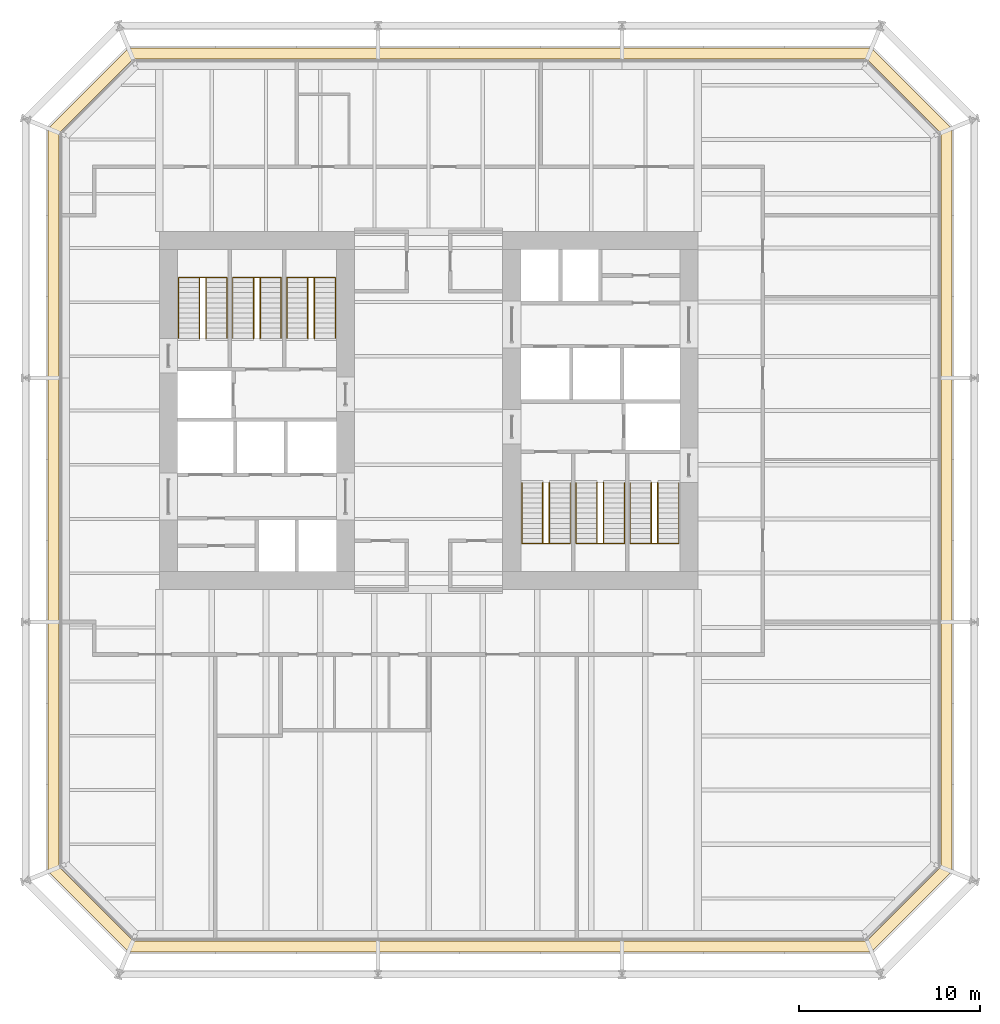
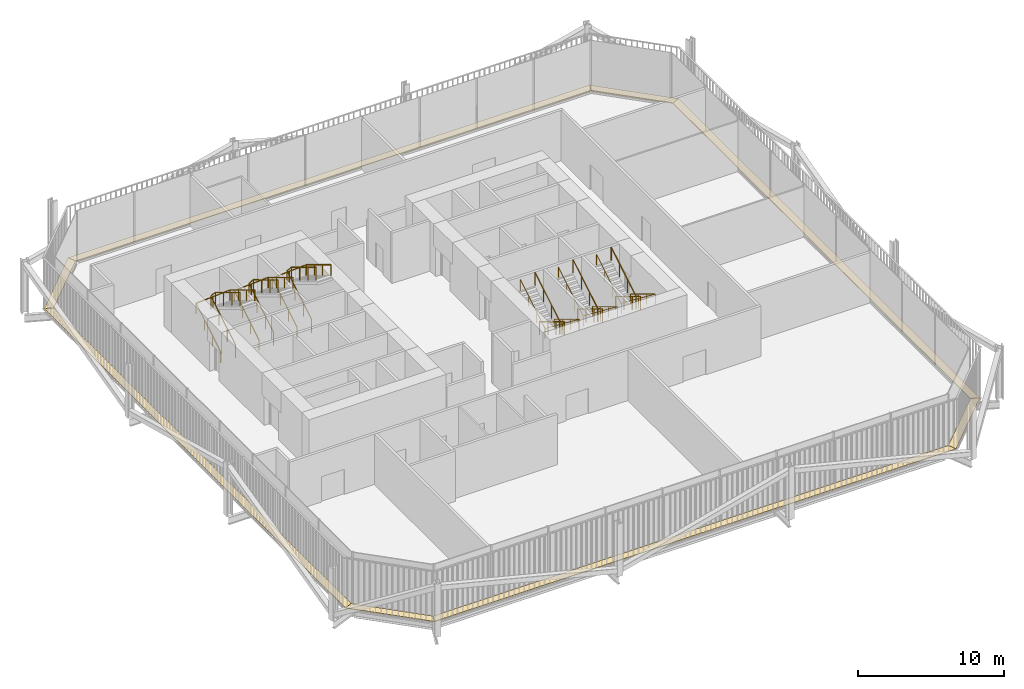
# One storey, part 21 of 21: 12 railings, 8 coverings.
"""IFC4 building model written with IfcOpenShell, lengths in metres."""

from ifc_helpers import new_model, si_unit, direction, frame, origin, origin_2d, place, context, subcontext, project, spatial, polyline, circle, outline, extrude, material, layer, layer_set, type_object, element, save


model = new_model("IFC4")

# Units and contexts
model_context = context("Model", 3, precision=1e-05, world=origin(), true_north=direction((0.0, 1.0)))
body_context = subcontext(model_context, "Body", "Model", "MODEL_VIEW")
ifc_project = project(units=[si_unit("LENGTHUNIT", "METRE"), si_unit("AREAUNIT", "SQUARE_METRE"), si_unit("VOLUMEUNIT", "CUBIC_METRE"), si_unit("PLANEANGLEUNIT", "RADIAN"), si_unit("MASSUNIT", "GRAM", prefix="KILO")], contexts=[model_context])

# Site, building, storey
site_placement = place(None, origin())
site = spatial("IfcSite", under=ifc_project, at=site_placement, CompositionType="ELEMENT")
building_placement = place(site_placement, origin())
building = spatial("IfcBuilding", under=site, at=building_placement, Name="Millrace Tower", CompositionType="ELEMENT")
storey_placement = place(building_placement, frame((0.0, 0.0, 90.800048828125)))
storey = spatial("IfcBuildingStorey", under=building, at=storey_placement, Name="L20", CompositionType="ELEMENT", Elevation=90.800048828125)

# Coverings
ifc_material_1 = material(Name="Steel ASTM A36", Category="steel")
ifc_layer = layer(ifc_material_1, 0.050048828125)
ifc_layer_set = layer_set([ifc_layer], Name="Steel ASTM A36")
covering_type = type_object("IfcCoveringType", Name="CAVITY CATWALK steel grating", PredefinedType="FLOORING", material=ifc_layer_set)
placement = place(storey_placement, frame((0.0, 0.0, 0.099853515625)))
element("IfcCovering", 1, at=placement, inside=storey, type_object=covering_type, Name="Cavity catwalk grating B-F01 L20 1", PredefinedType="FLOORING", context=body_context, shape_type="SweptSolid", body=[
    extrude(outline(polyline([(-21.050048828125, -25.5107421875), (-16.610595703125, -29.949951171875), (-16.362060546875, -29.35009765625), (-20.449951171875, -25.26220703125), (-21.050048828125, -25.5107421875)])), origin(), (0.0, 0.0, 1.0), 0.050048828125),
])
element("IfcCovering", 2, at=placement, inside=storey, type_object=covering_type, Name="Cavity catwalk grating B-F02 L20 1", PredefinedType="FLOORING", context=body_context, shape_type="SweptSolid", body=[
    extrude(outline(polyline([(-16.610595703125, -29.949951171875), (24.5107421875, -29.949951171875), (24.26220703125, -29.35009765625), (-16.362060546875, -29.35009765625), (-16.610595703125, -29.949951171875)])), origin(), (0.0, 0.0, 1.0), 0.050048828125),
])
element("IfcCovering", 3, at=placement, inside=storey, type_object=covering_type, Name="Cavity catwalk grating B-F03 L20 1", PredefinedType="FLOORING", context=body_context, shape_type="SweptSolid", body=[
    extrude(outline(polyline([(24.5107421875, -29.949951171875), (28.949951171875, -25.5107421875), (28.35009765625, -25.26220703125), (24.26220703125, -29.35009765625), (24.5107421875, -29.949951171875)])), origin(), (0.0, 0.0, 1.0), 0.050048828125),
])
element("IfcCovering", 4, at=placement, inside=storey, type_object=covering_type, Name="Cavity catwalk grating B-F04 L20 1", PredefinedType="FLOORING", context=body_context, shape_type="SweptSolid", body=[
    extrude(outline(polyline([(28.949951171875, -25.5107421875), (28.949951171875, 15.610595703125), (28.35009765625, 15.362060546875), (28.35009765625, -25.26220703125), (28.949951171875, -25.5107421875)])), origin(), (0.0, 0.0, 1.0), 0.050048828125),
])
element("IfcCovering", 5, at=placement, inside=storey, type_object=covering_type, Name="Cavity catwalk grating B-F05 L20 1", PredefinedType="FLOORING", context=body_context, shape_type="SweptSolid", body=[
    extrude(outline(polyline([(28.949951171875, 15.610595703125), (24.5107421875, 20.050048828125), (24.26220703125, 19.449951171875), (28.35009765625, 15.362060546875), (28.949951171875, 15.610595703125)])), origin(), (0.0, 0.0, 1.0), 0.050048828125),
])
element("IfcCovering", 6, at=placement, inside=storey, type_object=covering_type, Name="Cavity catwalk grating B-F06 L20 1", PredefinedType="FLOORING", context=body_context, shape_type="SweptSolid", body=[
    extrude(outline(polyline([(24.5107421875, 20.050048828125), (-16.610595703125, 20.050048828125), (-16.362060546875, 19.449951171875), (24.26220703125, 19.449951171875), (24.5107421875, 20.050048828125)])), origin(), (0.0, 0.0, 1.0), 0.050048828125),
])
element("IfcCovering", 7, at=placement, inside=storey, type_object=covering_type, Name="Cavity catwalk grating B-F07 L20 1", PredefinedType="FLOORING", context=body_context, shape_type="SweptSolid", body=[
    extrude(outline(polyline([(-16.610595703125, 20.050048828125), (-21.050048828125, 15.610595703125), (-20.449951171875, 15.362060546875), (-16.362060546875, 19.449951171875), (-16.610595703125, 20.050048828125)])), origin(), (0.0, 0.0, 1.0), 0.050048828125),
])
element("IfcCovering", 8, at=placement, inside=storey, type_object=covering_type, Name="Cavity catwalk grating B-F08 L20 1", PredefinedType="FLOORING", context=body_context, shape_type="SweptSolid", body=[
    extrude(outline(polyline([(-21.050048828125, 15.610595703125), (-21.050048828125, -25.5107421875), (-20.449951171875, -25.26220703125), (-20.449951171875, 15.362060546875), (-21.050048828125, 15.610595703125)])), origin(), (0.0, 0.0, 1.0), 0.050048828125),
])

# Railings
ifc_material_2 = material(Name="Stainless steel ASTM A240 type 316", Category="steel")
railing_type_1 = type_object("IfcRailingType", Name="Stair guard 1100", PredefinedType="GUARDRAIL", material=ifc_material_2)
for number, where, name in (
    (9, (-12.679931640625, 4.0, 0.169189453125), "Stair guard 1 W L20"),
    (10, (-9.679931640625, 4.0, 0.169189453125), "Stair guard 2 W L20"),
    (11, (-6.679931640625, 4.0, 0.169189453125), "Stair guard 3 W L20"),
):
    element("IfcRailing", number, at=place(storey_placement, frame(where)), inside=storey, type_object=railing_type_1, Name=name, PredefinedType="GUARDRAIL", context=body_context, shape_type="SweptSolid", body=[
        extrude(circle(Radius=0.02392578125, at=origin_2d()), frame((0.0, 0.0, 1.076171875), z_axis=(0.0, 0.855836976705, 0.517245656632), x_axis=(-1.0, 0.0, 0.0)), (0.0, 0.0, 1.0), 3.926025390625),
        extrude(circle(Radius=0.02392578125, at=origin_2d()), frame((0.0, 3.360107421875, 3.10693359375), z_axis=(0.904971698027, 0.0, 0.425471768475), x_axis=(0.0, 1.0, 0.0)), (0.0, 0.0, 1.0), 0.397705078125),
        extrude(circle(Radius=0.02392578125, at=origin_2d()), frame((0.35986328125, 3.360107421875, 3.27587890625), z_axis=(0.0, -0.855836976705, 0.517245656632), x_axis=(1.0, 0.0, 0.0)), (0.0, 0.0, 1.0), 3.926025390625),
        extrude(circle(Radius=0.02099609375, at=origin_2d()), origin(), (0.0, 0.0, 1.0), 1.052001953125),
        extrude(circle(Radius=0.02099609375, at=origin_2d()), frame((0.0, 1.1201171875, 0.677001953125)), (0.0, 0.0, 1.0), 1.052001953125),
        extrude(circle(Radius=0.02099609375, at=origin_2d()), frame((0.0, 2.239990234375, 1.353759765625)), (0.0, 0.0, 1.0), 1.052001953125),
        extrude(circle(Radius=0.02099609375, at=origin_2d()), frame((0.0, 3.360107421875, 2.03076171875)), (0.0, 0.0, 1.0), 1.052001953125),
        extrude(circle(Radius=0.02099609375, at=origin_2d()), frame((0.35986328125, 3.360107421875, 2.199951171875)), (0.0, 0.0, 1.0), 1.052001953125),
        extrude(circle(Radius=0.02099609375, at=origin_2d()), frame((0.35986328125, 2.239990234375, 2.876953125)), (0.0, 0.0, 1.0), 1.052001953125),
        extrude(circle(Radius=0.02099609375, at=origin_2d()), frame((0.35986328125, 1.1201171875, 3.5537109375)), (0.0, 0.0, 1.0), 1.052001953125),
        extrude(circle(Radius=0.02099609375, at=origin_2d()), frame((0.35986328125, 0.0, 4.230712890625)), (0.0, 0.0, 1.0), 1.052001953125),
    ])
for number, where, name in (
    (12, (12.679931640625, -4.0, 0.169189453125), "Stair guard 1 E L20"),
    (13, (9.679931640625, -4.0, 0.169189453125), "Stair guard 2 E L20"),
    (14, (6.679931640625, -4.0, 0.169189453125), "Stair guard 3 E L20"),
):
    element("IfcRailing", number, at=place(storey_placement, frame(where)), inside=storey, type_object=railing_type_1, Name=name, PredefinedType="GUARDRAIL", context=body_context, shape_type="SweptSolid", body=[
        extrude(circle(Radius=0.02392578125, at=origin_2d()), frame((0.0, 0.0, 1.076171875), z_axis=(0.0, -0.855836976705, 0.517245656632), x_axis=(1.0, 0.0, 0.0)), (0.0, 0.0, 1.0), 3.926025390625),
        extrude(circle(Radius=0.02392578125, at=origin_2d()), frame((0.0, -3.360107421875, 3.10693359375), z_axis=(-0.904971698027, 0.0, 0.425471768475), x_axis=(0.0, -1.0, 0.0)), (0.0, 0.0, 1.0), 0.397705078125),
        extrude(circle(Radius=0.02392578125, at=origin_2d()), frame((-0.35986328125, -3.360107421875, 3.27587890625), z_axis=(0.0, 0.855836976705, 0.517245656632), x_axis=(-1.0, 0.0, 0.0)), (0.0, 0.0, 1.0), 3.926025390625),
        extrude(circle(Radius=0.02099609375, at=origin_2d()), origin(), (0.0, 0.0, 1.0), 1.052001953125),
        extrude(circle(Radius=0.02099609375, at=origin_2d()), frame((0.0, -1.1201171875, 0.677001953125)), (0.0, 0.0, 1.0), 1.052001953125),
        extrude(circle(Radius=0.02099609375, at=origin_2d()), frame((0.0, -2.239990234375, 1.353759765625)), (0.0, 0.0, 1.0), 1.052001953125),
        extrude(circle(Radius=0.02099609375, at=origin_2d()), frame((0.0, -3.360107421875, 2.03076171875)), (0.0, 0.0, 1.0), 1.052001953125),
        extrude(circle(Radius=0.02099609375, at=origin_2d()), frame((-0.35986328125, -3.360107421875, 2.199951171875)), (0.0, 0.0, 1.0), 1.052001953125),
        extrude(circle(Radius=0.02099609375, at=origin_2d()), frame((-0.35986328125, -2.239990234375, 2.876953125)), (0.0, 0.0, 1.0), 1.052001953125),
        extrude(circle(Radius=0.02099609375, at=origin_2d()), frame((-0.35986328125, -1.1201171875, 3.5537109375)), (0.0, 0.0, 1.0), 1.052001953125),
        extrude(circle(Radius=0.02099609375, at=origin_2d()), frame((-0.35986328125, 0.0, 4.230712890625)), (0.0, 0.0, 1.0), 1.052001953125),
    ])
ifc_material_3 = material(Name="Stainless steel ASTM A240 type 316", Category="steel")
railing_type_2 = type_object("IfcRailingType", Name="Stair handrail 900", PredefinedType="HANDRAIL", material=ifc_material_3)
railing_1_placement = place(storey_placement, frame((-13.840087890625, 4.0, 0.169189453125)))
element("IfcRailing", 15, at=railing_1_placement, inside=storey, type_object=railing_type_2, Name="Stair handrail 1 W L20", PredefinedType="HANDRAIL", context=body_context, shape_type="SweptSolid", body=[
    extrude(circle(Radius=0.02392578125, at=origin_2d()), frame((0.0, 0.0, 0.8759765625), z_axis=(0.0, 0.855836976705, 0.517245656632), x_axis=(-1.0, 0.0, 0.0)), (0.0, 0.0, 1.0), 3.926025390625),
    extrude(circle(Radius=0.02392578125, at=origin_2d()), frame((0.0, 3.360107421875, 2.90673828125), z_axis=(0.998013473273, 0.0, 0.063000850517), x_axis=(0.0, 1.0, 0.0)), (0.0, 0.0, 1.0), 2.685546875),
    extrude(circle(Radius=0.02392578125, at=origin_2d()), frame((2.68017578125, 3.360107421875, 3.07568359375), z_axis=(0.0, -0.855836976705, 0.517245656632), x_axis=(1.0, 0.0, 0.0)), (0.0, 0.0, 1.0), 3.926025390625),
    extrude(circle(Radius=0.02099609375, at=origin_2d()), origin(), (0.0, 0.0, 1.0), 0.851806640625),
    extrude(circle(Radius=0.02099609375, at=origin_2d()), frame((0.0, 1.1201171875, 0.677001953125)), (0.0, 0.0, 1.0), 0.851806640625),
    extrude(circle(Radius=0.02099609375, at=origin_2d()), frame((0.0, 2.239990234375, 1.353759765625)), (0.0, 0.0, 1.0), 0.851806640625),
    extrude(circle(Radius=0.02099609375, at=origin_2d()), frame((0.0, 3.360107421875, 2.03076171875)), (0.0, 0.0, 1.0), 0.851806640625),
    extrude(circle(Radius=0.02099609375, at=origin_2d()), frame((1.340087890625, 3.360107421875, 2.115234375)), (0.0, 0.0, 1.0), 0.851806640625),
    extrude(circle(Radius=0.02099609375, at=origin_2d()), frame((2.68017578125, 3.360107421875, 2.199951171875)), (0.0, 0.0, 1.0), 0.851806640625),
    extrude(circle(Radius=0.02099609375, at=origin_2d()), frame((2.68017578125, 2.239990234375, 2.876953125)), (0.0, 0.0, 1.0), 0.851806640625),
    extrude(circle(Radius=0.02099609375, at=origin_2d()), frame((2.68017578125, 1.1201171875, 3.5537109375)), (0.0, 0.0, 1.0), 0.851806640625),
    extrude(circle(Radius=0.02099609375, at=origin_2d()), frame((2.68017578125, 0.0, 4.230712890625)), (0.0, 0.0, 1.0), 0.851806640625),
])
railing_2_placement = place(storey_placement, frame((-10.840087890625, 4.0, 0.169189453125)))
element("IfcRailing", 16, at=railing_2_placement, inside=storey, type_object=railing_type_2, Name="Stair handrail 2 W L20", PredefinedType="HANDRAIL", context=body_context, shape_type="SweptSolid", body=[
    extrude(circle(Radius=0.02392578125, at=origin_2d()), frame((0.0, 0.0, 0.8759765625), z_axis=(0.0, 0.855836976705, 0.517245656632), x_axis=(-1.0, 0.0, 0.0)), (0.0, 0.0, 1.0), 3.926025390625),
    extrude(circle(Radius=0.02392578125, at=origin_2d()), frame((0.0, 3.360107421875, 2.90673828125), z_axis=(0.998013473273, 0.0, 0.063000850517), x_axis=(0.0, 1.0, 0.0)), (0.0, 0.0, 1.0), 2.685546875),
    extrude(circle(Radius=0.02392578125, at=origin_2d()), frame((2.68017578125, 3.360107421875, 3.07568359375), z_axis=(0.0, -0.855836976705, 0.517245656632), x_axis=(1.0, 0.0, 0.0)), (0.0, 0.0, 1.0), 3.926025390625),
    extrude(circle(Radius=0.02099609375, at=origin_2d()), origin(), (0.0, 0.0, 1.0), 0.851806640625),
    extrude(circle(Radius=0.02099609375, at=origin_2d()), frame((0.0, 1.1201171875, 0.677001953125)), (0.0, 0.0, 1.0), 0.851806640625),
    extrude(circle(Radius=0.02099609375, at=origin_2d()), frame((0.0, 2.239990234375, 1.353759765625)), (0.0, 0.0, 1.0), 0.851806640625),
    extrude(circle(Radius=0.02099609375, at=origin_2d()), frame((0.0, 3.360107421875, 2.03076171875)), (0.0, 0.0, 1.0), 0.851806640625),
    extrude(circle(Radius=0.02099609375, at=origin_2d()), frame((1.340087890625, 3.360107421875, 2.115234375)), (0.0, 0.0, 1.0), 0.851806640625),
    extrude(circle(Radius=0.02099609375, at=origin_2d()), frame((2.68017578125, 3.360107421875, 2.199951171875)), (0.0, 0.0, 1.0), 0.851806640625),
    extrude(circle(Radius=0.02099609375, at=origin_2d()), frame((2.68017578125, 2.239990234375, 2.876953125)), (0.0, 0.0, 1.0), 0.851806640625),
    extrude(circle(Radius=0.02099609375, at=origin_2d()), frame((2.68017578125, 1.1201171875, 3.5537109375)), (0.0, 0.0, 1.0), 0.851806640625),
    extrude(circle(Radius=0.02099609375, at=origin_2d()), frame((2.68017578125, 0.0, 4.230712890625)), (0.0, 0.0, 1.0), 0.851806640625),
])
railing_3_placement = place(storey_placement, frame((-7.840087890625, 4.0, 0.169189453125)))
element("IfcRailing", 17, at=railing_3_placement, inside=storey, type_object=railing_type_2, Name="Stair handrail 3 W L20", PredefinedType="HANDRAIL", context=body_context, shape_type="SweptSolid", body=[
    extrude(circle(Radius=0.02392578125, at=origin_2d()), frame((0.0, 0.0, 0.8759765625), z_axis=(0.0, 0.855836976705, 0.517245656632), x_axis=(-1.0, 0.0, 0.0)), (0.0, 0.0, 1.0), 3.926025390625),
    extrude(circle(Radius=0.02392578125, at=origin_2d()), frame((0.0, 3.360107421875, 2.90673828125), z_axis=(0.998013473273, 0.0, 0.063000850517), x_axis=(0.0, 1.0, 0.0)), (0.0, 0.0, 1.0), 2.685546875),
    extrude(circle(Radius=0.02392578125, at=origin_2d()), frame((2.68017578125, 3.360107421875, 3.07568359375), z_axis=(0.0, -0.855836976705, 0.517245656632), x_axis=(1.0, 0.0, 0.0)), (0.0, 0.0, 1.0), 3.926025390625),
    extrude(circle(Radius=0.02099609375, at=origin_2d()), origin(), (0.0, 0.0, 1.0), 0.851806640625),
    extrude(circle(Radius=0.02099609375, at=origin_2d()), frame((0.0, 1.1201171875, 0.677001953125)), (0.0, 0.0, 1.0), 0.851806640625),
    extrude(circle(Radius=0.02099609375, at=origin_2d()), frame((0.0, 2.239990234375, 1.353759765625)), (0.0, 0.0, 1.0), 0.851806640625),
    extrude(circle(Radius=0.02099609375, at=origin_2d()), frame((0.0, 3.360107421875, 2.03076171875)), (0.0, 0.0, 1.0), 0.851806640625),
    extrude(circle(Radius=0.02099609375, at=origin_2d()), frame((1.340087890625, 3.360107421875, 2.115234375)), (0.0, 0.0, 1.0), 0.851806640625),
    extrude(circle(Radius=0.02099609375, at=origin_2d()), frame((2.68017578125, 3.360107421875, 2.199951171875)), (0.0, 0.0, 1.0), 0.851806640625),
    extrude(circle(Radius=0.02099609375, at=origin_2d()), frame((2.68017578125, 2.239990234375, 2.876953125)), (0.0, 0.0, 1.0), 0.851806640625),
    extrude(circle(Radius=0.02099609375, at=origin_2d()), frame((2.68017578125, 1.1201171875, 3.5537109375)), (0.0, 0.0, 1.0), 0.851806640625),
    extrude(circle(Radius=0.02099609375, at=origin_2d()), frame((2.68017578125, 0.0, 4.230712890625)), (0.0, 0.0, 1.0), 0.851806640625),
])
railing_4_placement = place(storey_placement, frame((13.840087890625, -4.0, 0.169189453125)))
element("IfcRailing", 18, at=railing_4_placement, inside=storey, type_object=railing_type_2, Name="Stair handrail 1 E L20", PredefinedType="HANDRAIL", context=body_context, shape_type="SweptSolid", body=[
    extrude(circle(Radius=0.02392578125, at=origin_2d()), frame((0.0, 0.0, 0.8759765625), z_axis=(0.0, -0.855836976705, 0.517245656632), x_axis=(1.0, 0.0, 0.0)), (0.0, 0.0, 1.0), 3.926025390625),
    extrude(circle(Radius=0.02392578125, at=origin_2d()), frame((0.0, -3.360107421875, 2.90673828125), z_axis=(-0.998013473273, 0.0, 0.063000850517), x_axis=(0.0, -1.0, 0.0)), (0.0, 0.0, 1.0), 2.685546875),
    extrude(circle(Radius=0.02392578125, at=origin_2d()), frame((-2.68017578125, -3.360107421875, 3.07568359375), z_axis=(0.0, 0.855836976705, 0.517245656632), x_axis=(-1.0, 0.0, 0.0)), (0.0, 0.0, 1.0), 3.926025390625),
    extrude(circle(Radius=0.02099609375, at=origin_2d()), origin(), (0.0, 0.0, 1.0), 0.851806640625),
    extrude(circle(Radius=0.02099609375, at=origin_2d()), frame((0.0, -1.1201171875, 0.677001953125)), (0.0, 0.0, 1.0), 0.851806640625),
    extrude(circle(Radius=0.02099609375, at=origin_2d()), frame((0.0, -2.239990234375, 1.353759765625)), (0.0, 0.0, 1.0), 0.851806640625),
    extrude(circle(Radius=0.02099609375, at=origin_2d()), frame((0.0, -3.360107421875, 2.03076171875)), (0.0, 0.0, 1.0), 0.851806640625),
    extrude(circle(Radius=0.02099609375, at=origin_2d()), frame((-1.340087890625, -3.360107421875, 2.115234375)), (0.0, 0.0, 1.0), 0.851806640625),
    extrude(circle(Radius=0.02099609375, at=origin_2d()), frame((-2.68017578125, -3.360107421875, 2.199951171875)), (0.0, 0.0, 1.0), 0.851806640625),
    extrude(circle(Radius=0.02099609375, at=origin_2d()), frame((-2.68017578125, -2.239990234375, 2.876953125)), (0.0, 0.0, 1.0), 0.851806640625),
    extrude(circle(Radius=0.02099609375, at=origin_2d()), frame((-2.68017578125, -1.1201171875, 3.5537109375)), (0.0, 0.0, 1.0), 0.851806640625),
    extrude(circle(Radius=0.02099609375, at=origin_2d()), frame((-2.68017578125, 0.0, 4.230712890625)), (0.0, 0.0, 1.0), 0.851806640625),
])
railing_5_placement = place(storey_placement, frame((10.840087890625, -4.0, 0.169189453125)))
element("IfcRailing", 19, at=railing_5_placement, inside=storey, type_object=railing_type_2, Name="Stair handrail 2 E L20", PredefinedType="HANDRAIL", context=body_context, shape_type="SweptSolid", body=[
    extrude(circle(Radius=0.02392578125, at=origin_2d()), frame((0.0, 0.0, 0.8759765625), z_axis=(0.0, -0.855836976705, 0.517245656632), x_axis=(1.0, 0.0, 0.0)), (0.0, 0.0, 1.0), 3.926025390625),
    extrude(circle(Radius=0.02392578125, at=origin_2d()), frame((0.0, -3.360107421875, 2.90673828125), z_axis=(-0.998013473273, 0.0, 0.063000850517), x_axis=(0.0, -1.0, 0.0)), (0.0, 0.0, 1.0), 2.685546875),
    extrude(circle(Radius=0.02392578125, at=origin_2d()), frame((-2.68017578125, -3.360107421875, 3.07568359375), z_axis=(0.0, 0.855836976705, 0.517245656632), x_axis=(-1.0, 0.0, 0.0)), (0.0, 0.0, 1.0), 3.926025390625),
    extrude(circle(Radius=0.02099609375, at=origin_2d()), origin(), (0.0, 0.0, 1.0), 0.851806640625),
    extrude(circle(Radius=0.02099609375, at=origin_2d()), frame((0.0, -1.1201171875, 0.677001953125)), (0.0, 0.0, 1.0), 0.851806640625),
    extrude(circle(Radius=0.02099609375, at=origin_2d()), frame((0.0, -2.239990234375, 1.353759765625)), (0.0, 0.0, 1.0), 0.851806640625),
    extrude(circle(Radius=0.02099609375, at=origin_2d()), frame((0.0, -3.360107421875, 2.03076171875)), (0.0, 0.0, 1.0), 0.851806640625),
    extrude(circle(Radius=0.02099609375, at=origin_2d()), frame((-1.340087890625, -3.360107421875, 2.115234375)), (0.0, 0.0, 1.0), 0.851806640625),
    extrude(circle(Radius=0.02099609375, at=origin_2d()), frame((-2.68017578125, -3.360107421875, 2.199951171875)), (0.0, 0.0, 1.0), 0.851806640625),
    extrude(circle(Radius=0.02099609375, at=origin_2d()), frame((-2.68017578125, -2.239990234375, 2.876953125)), (0.0, 0.0, 1.0), 0.851806640625),
    extrude(circle(Radius=0.02099609375, at=origin_2d()), frame((-2.68017578125, -1.1201171875, 3.5537109375)), (0.0, 0.0, 1.0), 0.851806640625),
    extrude(circle(Radius=0.02099609375, at=origin_2d()), frame((-2.68017578125, 0.0, 4.230712890625)), (0.0, 0.0, 1.0), 0.851806640625),
])
railing_6_placement = place(storey_placement, frame((7.840087890625, -4.0, 0.169189453125)))
element("IfcRailing", 20, at=railing_6_placement, inside=storey, type_object=railing_type_2, Name="Stair handrail 3 E L20", PredefinedType="HANDRAIL", context=body_context, shape_type="SweptSolid", body=[
    extrude(circle(Radius=0.02392578125, at=origin_2d()), frame((0.0, 0.0, 0.8759765625), z_axis=(0.0, -0.855836976705, 0.517245656632), x_axis=(1.0, 0.0, 0.0)), (0.0, 0.0, 1.0), 3.926025390625),
    extrude(circle(Radius=0.02392578125, at=origin_2d()), frame((0.0, -3.360107421875, 2.90673828125), z_axis=(-0.998013473273, 0.0, 0.063000850517), x_axis=(0.0, -1.0, 0.0)), (0.0, 0.0, 1.0), 2.685546875),
    extrude(circle(Radius=0.02392578125, at=origin_2d()), frame((-2.68017578125, -3.360107421875, 3.07568359375), z_axis=(0.0, 0.855836976705, 0.517245656632), x_axis=(-1.0, 0.0, 0.0)), (0.0, 0.0, 1.0), 3.926025390625),
    extrude(circle(Radius=0.02099609375, at=origin_2d()), origin(), (0.0, 0.0, 1.0), 0.851806640625),
    extrude(circle(Radius=0.02099609375, at=origin_2d()), frame((0.0, -1.1201171875, 0.677001953125)), (0.0, 0.0, 1.0), 0.851806640625),
    extrude(circle(Radius=0.02099609375, at=origin_2d()), frame((0.0, -2.239990234375, 1.353759765625)), (0.0, 0.0, 1.0), 0.851806640625),
    extrude(circle(Radius=0.02099609375, at=origin_2d()), frame((0.0, -3.360107421875, 2.03076171875)), (0.0, 0.0, 1.0), 0.851806640625),
    extrude(circle(Radius=0.02099609375, at=origin_2d()), frame((-1.340087890625, -3.360107421875, 2.115234375)), (0.0, 0.0, 1.0), 0.851806640625),
    extrude(circle(Radius=0.02099609375, at=origin_2d()), frame((-2.68017578125, -3.360107421875, 2.199951171875)), (0.0, 0.0, 1.0), 0.851806640625),
    extrude(circle(Radius=0.02099609375, at=origin_2d()), frame((-2.68017578125, -2.239990234375, 2.876953125)), (0.0, 0.0, 1.0), 0.851806640625),
    extrude(circle(Radius=0.02099609375, at=origin_2d()), frame((-2.68017578125, -1.1201171875, 3.5537109375)), (0.0, 0.0, 1.0), 0.851806640625),
    extrude(circle(Radius=0.02099609375, at=origin_2d()), frame((-2.68017578125, 0.0, 4.230712890625)), (0.0, 0.0, 1.0), 0.851806640625),
])

save(model, "model.ifc")
